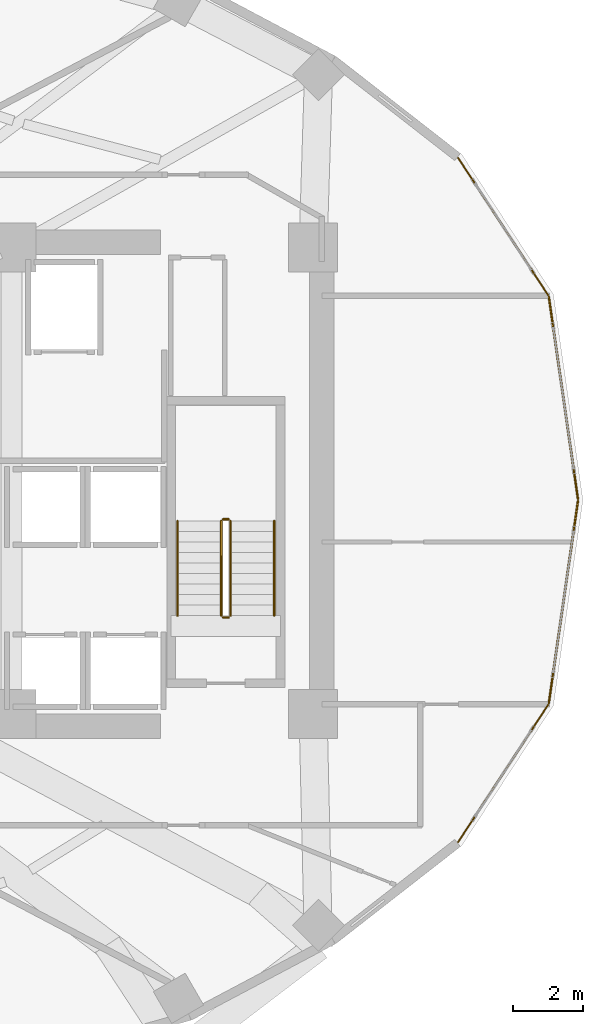
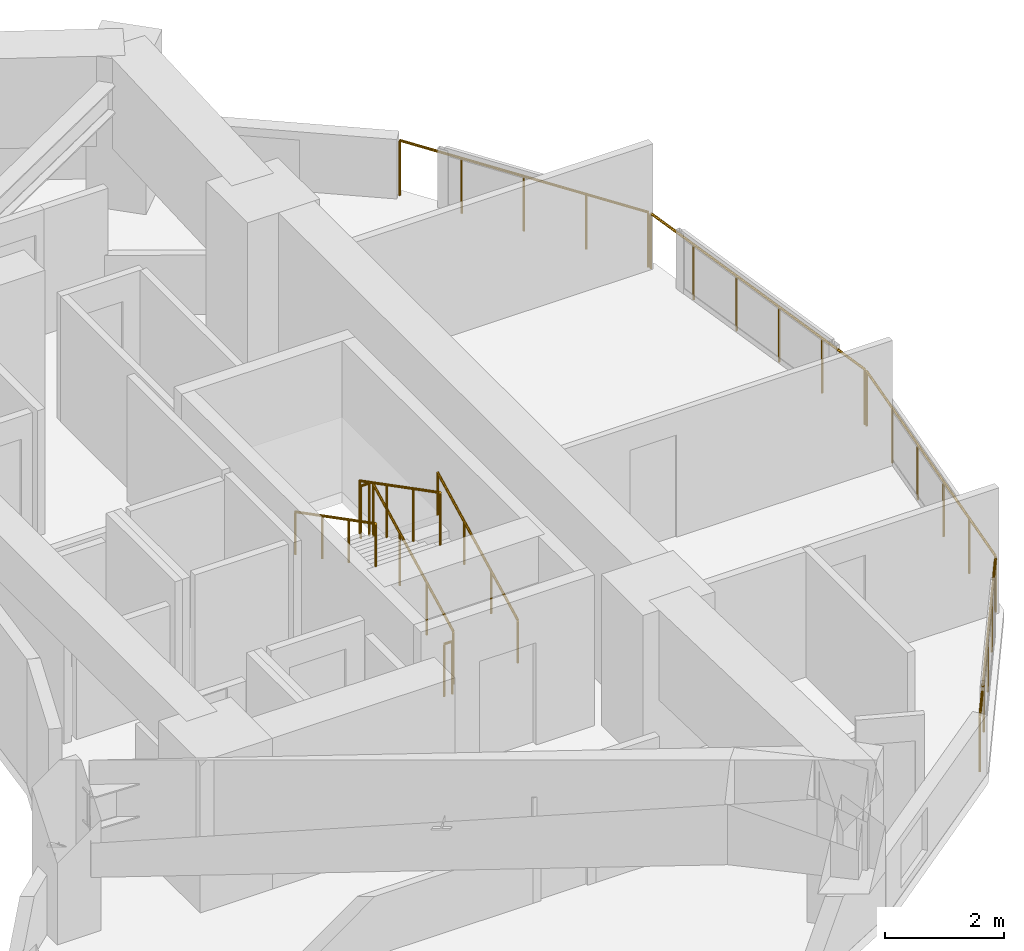
# One storey, part 13 of 14: 10 railings.
"""IFC4 building model written with IfcOpenShell, lengths in metres."""

from ifc_helpers import new_model, si_unit, direction, frame, origin, origin_2d, place, context, subcontext, project, spatial, circle, extrude, material, type_object, element, save


model = new_model("IFC4")

# Units and contexts
model_context = context("Model", 3, precision=1e-05, world=origin(), true_north=direction((0.0, 1.0)))
body_context = subcontext(model_context, "Body", "Model", "MODEL_VIEW")
ifc_project = project(units=[si_unit("LENGTHUNIT", "METRE"), si_unit("AREAUNIT", "SQUARE_METRE"), si_unit("VOLUMEUNIT", "CUBIC_METRE"), si_unit("PLANEANGLEUNIT", "RADIAN"), si_unit("MASSUNIT", "GRAM", prefix="KILO")], contexts=[model_context])

# Site, building, storey
site_placement = place(None, origin())
site = spatial("IfcSite", under=ifc_project, at=site_placement, CompositionType="ELEMENT")
building_placement = place(site_placement, origin())
building = spatial("IfcBuilding", under=site, at=building_placement, Name="Solvane Sanctuary Tower", CompositionType="ELEMENT")
storey_placement = place(building_placement, frame((0.0, 0.0, 91.800048828125)))
storey = spatial("IfcBuildingStorey", under=building, at=storey_placement, Name="L27", CompositionType="ELEMENT", Elevation=91.800048828125)

# Railings
ifc_material = material(Name="Architectural Stainless Steel 316", Category="steel")
railing_type_1 = type_object("IfcRailingType", Name="Railing GR-BALC-1150", PredefinedType="BALUSTRADE", material=ifc_material)
railing_1_placement = place(storey_placement, frame((56.255615234375, 23.02978515625, 0.0)))
element("IfcRailing", 1, at=railing_1_placement, inside=storey, type_object=railing_type_1, Name="L27 Curtain-Wall Perimeter Sill Guard 00", PredefinedType="BALUSTRADE", context=body_context, shape_type="SweptSolid", body=[
    extrude(circle(Radius=0.02392578125, at=origin_2d()), frame((0.0, 0.0, 1.1259765625), z_axis=(-0.142572582449, 0.98978434961, 0.0), x_axis=(-0.98978434961, -0.142572582449, 0.0)), (0.0, 0.0, 1.0), 5.818603515625),
    extrude(circle(Radius=0.02099609375, at=origin_2d()), origin(), (0.0, 0.0, 1.0), 1.101806640625),
    extrude(circle(Radius=0.02099609375, at=origin_2d()), frame((-0.166015625, 1.15185546875, 0.0)), (0.0, 0.0, 1.0), 1.101806640625),
    extrude(circle(Radius=0.02099609375, at=origin_2d()), frame((-0.331787109375, 2.3037109375, 0.0)), (0.0, 0.0, 1.0), 1.101806640625),
    extrude(circle(Radius=0.02099609375, at=origin_2d()), frame((-0.497802734375, 3.45556640625, 0.0)), (0.0, 0.0, 1.0), 1.101806640625),
    extrude(circle(Radius=0.02099609375, at=origin_2d()), frame((-0.66357421875, 4.607421875, 0.0)), (0.0, 0.0, 1.0), 1.101806640625),
    extrude(circle(Radius=0.02099609375, at=origin_2d()), frame((-0.82958984375, 5.75927734375, 0.0)), (0.0, 0.0, 1.0), 1.101806640625),
])
railing_2_placement = place(storey_placement, frame((55.405517578125, 28.84375, 0.0)))
element("IfcRailing", 2, at=railing_2_placement, inside=storey, type_object=railing_type_1, Name="L27 Curtain-Wall Perimeter Sill Guard 01", PredefinedType="BALUSTRADE", context=body_context, shape_type="SweptSolid", body=[
    extrude(circle(Radius=0.02392578125, at=origin_2d()), frame((0.0, 0.0, 1.1259765625), z_axis=(-0.548321711093, 0.836267481817, 0.0), x_axis=(-0.836267481817, -0.548321711093, 0.0)), (0.0, 0.0, 1.0), 4.6845703125),
    extrude(circle(Radius=0.02099609375, at=origin_2d()), origin(), (0.0, 0.0, 1.0), 1.101806640625),
    extrude(circle(Radius=0.02099609375, at=origin_2d()), frame((-0.64208984375, 0.9794921875, 0.0)), (0.0, 0.0, 1.0), 1.101806640625),
    extrude(circle(Radius=0.02099609375, at=origin_2d()), frame((-1.2841796875, 1.958740234375, 0.0)), (0.0, 0.0, 1.0), 1.101806640625),
    extrude(circle(Radius=0.02099609375, at=origin_2d()), frame((-1.926513671875, 2.93798828125, 0.0)), (0.0, 0.0, 1.0), 1.101806640625),
    extrude(circle(Radius=0.02099609375, at=origin_2d()), frame((-2.568603515625, 3.91748046875, 0.0)), (0.0, 0.0, 1.0), 1.101806640625),
])
railing_3_placement = place(storey_placement, frame((52.8369140625, 13.23876953125, 0.0)))
element("IfcRailing", 3, at=railing_3_placement, inside=storey, type_object=railing_type_1, Name="L27 Curtain-Wall Perimeter Sill Guard 22", PredefinedType="BALUSTRADE", context=body_context, shape_type="SweptSolid", body=[
    extrude(circle(Radius=0.02392578125, at=origin_2d()), frame((0.0, 0.0, 1.1259765625), z_axis=(0.548321711093, 0.836267481817, 0.0), x_axis=(-0.836267481817, 0.548321711093, 0.0)), (0.0, 0.0, 1.0), 4.6845703125),
    extrude(circle(Radius=0.02099609375, at=origin_2d()), origin(), (0.0, 0.0, 1.0), 1.101806640625),
    extrude(circle(Radius=0.02099609375, at=origin_2d()), frame((0.64208984375, 0.9794921875, 0.0)), (0.0, 0.0, 1.0), 1.101806640625),
    extrude(circle(Radius=0.02099609375, at=origin_2d()), frame((1.2841796875, 1.958740234375, 0.0)), (0.0, 0.0, 1.0), 1.101806640625),
    extrude(circle(Radius=0.02099609375, at=origin_2d()), frame((1.926513671875, 2.93798828125, 0.0)), (0.0, 0.0, 1.0), 1.101806640625),
    extrude(circle(Radius=0.02099609375, at=origin_2d()), frame((2.568603515625, 3.91748046875, 0.0)), (0.0, 0.0, 1.0), 1.101806640625),
])
railing_4_placement = place(storey_placement, frame((55.426025390625, 17.2109375, 0.0)))
element("IfcRailing", 4, at=railing_4_placement, inside=storey, type_object=railing_type_1, Name="L27 Curtain-Wall Perimeter Sill Guard 23", PredefinedType="BALUSTRADE", context=body_context, shape_type="SweptSolid", body=[
    extrude(circle(Radius=0.02392578125, at=origin_2d()), frame((0.0, 0.0, 1.1259765625), z_axis=(0.142572582449, 0.98978434961, 0.0), x_axis=(-0.98978434961, 0.142572582449, 0.0)), (0.0, 0.0, 1.0), 5.818603515625),
    extrude(circle(Radius=0.02099609375, at=origin_2d()), origin(), (0.0, 0.0, 1.0), 1.101806640625),
    extrude(circle(Radius=0.02099609375, at=origin_2d()), frame((0.166015625, 1.15185546875, 0.0)), (0.0, 0.0, 1.0), 1.101806640625),
    extrude(circle(Radius=0.02099609375, at=origin_2d()), frame((0.331787109375, 2.3037109375, 0.0)), (0.0, 0.0, 1.0), 1.101806640625),
    extrude(circle(Radius=0.02099609375, at=origin_2d()), frame((0.497802734375, 3.45556640625, 0.0)), (0.0, 0.0, 1.0), 1.101806640625),
    extrude(circle(Radius=0.02099609375, at=origin_2d()), frame((0.66357421875, 4.607421875, 0.0)), (0.0, 0.0, 1.0), 1.101806640625),
    extrude(circle(Radius=0.02099609375, at=origin_2d()), frame((0.82958984375, 5.75927734375, 0.0)), (0.0, 0.0, 1.0), 1.101806640625),
])
railing_5_placement = place(storey_placement, frame((46.340087890625, 19.699951171875, 0.155029296875)))
element("IfcRailing", 5, at=railing_5_placement, inside=storey, type_object=railing_type_1, Name="L27 ST-2 stair guard 1", PredefinedType="BALUSTRADE", context=body_context, shape_type="SweptSolid", body=[
    extrude(circle(Radius=0.02392578125, at=origin_2d()), frame((0.0, 0.0, 1.076171875), z_axis=(0.0, 0.888419900624, 0.459031676658), x_axis=(-1.0, 0.0, 0.0)), (0.0, 0.0, 1.0), 3.0390625),
    extrude(circle(Radius=0.02099609375, at=origin_2d()), origin(), (0.0, 0.0, 1.0), 1.052001953125),
    extrude(circle(Radius=0.02099609375, at=origin_2d()), frame((0.0, 0.89990234375, 0.465087890625)), (0.0, 0.0, 1.0), 1.052001953125),
    extrude(circle(Radius=0.02099609375, at=origin_2d()), frame((0.0, 1.800048828125, 0.929931640625)), (0.0, 0.0, 1.0), 1.052001953125),
    extrude(circle(Radius=0.02099609375, at=origin_2d()), frame((0.0, 2.699951171875, 1.39501953125)), (0.0, 0.0, 1.0), 1.052001953125),
])
railing_6_placement = place(storey_placement, frame((46.2900390625, 22.449951171875, 1.550048828125)))
element("IfcRailing", 6, at=railing_6_placement, inside=storey, type_object=railing_type_1, Name="L27 ST-2 stair guard 2", PredefinedType="BALUSTRADE", context=body_context, shape_type="SweptSolid", body=[
    extrude(circle(Radius=0.02392578125, at=origin_2d()), frame((0.0, 0.0, 1.076171875), z_axis=(-1.0, 0.0, 0.0), x_axis=(0.0, -1.0, 0.0)), (0.0, 0.0, 1.0), 0.16015625),
    extrude(circle(Radius=0.02099609375, at=origin_2d()), origin(), (0.0, 0.0, 1.0), 1.052001953125),
    extrude(circle(Radius=0.02099609375, at=origin_2d()), frame((-0.16015625, 0.0, 0.0)), (0.0, 0.0, 1.0), 1.052001953125),
])
railing_7_placement = place(storey_placement, frame((46.080078125, 22.39990234375, 1.704833984375)))
element("IfcRailing", 7, at=railing_7_placement, inside=storey, type_object=railing_type_1, Name="L27 ST-2 stair guard 3", PredefinedType="BALUSTRADE", context=body_context, shape_type="SweptSolid", body=[
    extrude(circle(Radius=0.02392578125, at=origin_2d()), frame((0.0, 0.0, 1.076171875), z_axis=(0.0, -0.888419900624, 0.459031676658), x_axis=(1.0, 0.0, 0.0)), (0.0, 0.0, 1.0), 3.0390625),
    extrude(circle(Radius=0.02099609375, at=origin_2d()), origin(), (0.0, 0.0, 1.0), 1.052001953125),
    extrude(circle(Radius=0.02099609375, at=origin_2d()), frame((0.0, -0.89990234375, 0.465087890625)), (0.0, 0.0, 1.0), 1.052001953125),
    extrude(circle(Radius=0.02099609375, at=origin_2d()), frame((0.0, -1.800048828125, 0.929931640625)), (0.0, 0.0, 1.0), 1.052001953125),
    extrude(circle(Radius=0.02099609375, at=origin_2d()), frame((0.0, -2.699951171875, 1.39501953125)), (0.0, 0.0, 1.0), 1.052001953125),
])
railing_8_placement = place(storey_placement, frame((46.2900390625, 19.64990234375, 0.0)))
element("IfcRailing", 8, at=railing_8_placement, inside=storey, type_object=railing_type_1, Name="L27 ST-2 stair guard 4", PredefinedType="BALUSTRADE", context=body_context, shape_type="SweptSolid", body=[
    extrude(circle(Radius=0.02392578125, at=origin_2d()), frame((0.0, 0.0, 1.076171875), z_axis=(-1.0, 0.0, 0.0), x_axis=(0.0, -1.0, 0.0)), (0.0, 0.0, 1.0), 0.16015625),
    extrude(circle(Radius=0.02099609375, at=origin_2d()), origin(), (0.0, 0.0, 1.0), 1.052001953125),
    extrude(circle(Radius=0.02099609375, at=origin_2d()), frame((-0.16015625, 0.0, 0.0)), (0.0, 0.0, 1.0), 1.052001953125),
])
railing_type_2 = type_object("IfcRailingType", Name="Railing HR-STAIR-920", PredefinedType="HANDRAIL", material=ifc_material)
railing_9_placement = place(storey_placement, frame((47.590087890625, 19.699951171875, 0.155029296875)))
element("IfcRailing", 9, at=railing_9_placement, inside=storey, type_object=railing_type_2, Name="L27 ST-2 stair handrail 1", PredefinedType="HANDRAIL", context=body_context, shape_type="SweptSolid", body=[
    extrude(circle(Radius=0.02392578125, at=origin_2d()), frame((0.0, 0.0, 0.8759765625), z_axis=(0.0, 0.888419900624, 0.459031676658), x_axis=(-1.0, 0.0, 0.0)), (0.0, 0.0, 1.0), 3.0390625),
    extrude(circle(Radius=0.02099609375, at=origin_2d()), origin(), (0.0, 0.0, 1.0), 0.851806640625),
    extrude(circle(Radius=0.02099609375, at=origin_2d()), frame((0.0, 0.89990234375, 0.465087890625)), (0.0, 0.0, 1.0), 0.851806640625),
    extrude(circle(Radius=0.02099609375, at=origin_2d()), frame((0.0, 1.800048828125, 0.929931640625)), (0.0, 0.0, 1.0), 0.851806640625),
    extrude(circle(Radius=0.02099609375, at=origin_2d()), frame((0.0, 2.699951171875, 1.39501953125)), (0.0, 0.0, 1.0), 0.851806640625),
])
railing_10_placement = place(storey_placement, frame((44.830078125, 22.39990234375, 1.704833984375)))
element("IfcRailing", 10, at=railing_10_placement, inside=storey, type_object=railing_type_2, Name="L27 ST-2 stair handrail 2", PredefinedType="HANDRAIL", context=body_context, shape_type="SweptSolid", body=[
    extrude(circle(Radius=0.02392578125, at=origin_2d()), frame((0.0, 0.0, 0.8759765625), z_axis=(0.0, -0.888419900624, 0.459031676658), x_axis=(1.0, 0.0, 0.0)), (0.0, 0.0, 1.0), 3.0390625),
    extrude(circle(Radius=0.02099609375, at=origin_2d()), origin(), (0.0, 0.0, 1.0), 0.851806640625),
    extrude(circle(Radius=0.02099609375, at=origin_2d()), frame((0.0, -0.89990234375, 0.465087890625)), (0.0, 0.0, 1.0), 0.851806640625),
    extrude(circle(Radius=0.02099609375, at=origin_2d()), frame((0.0, -1.800048828125, 0.929931640625)), (0.0, 0.0, 1.0), 0.851806640625),
    extrude(circle(Radius=0.02099609375, at=origin_2d()), frame((0.0, -2.699951171875, 1.39501953125)), (0.0, 0.0, 1.0), 0.851806640625),
])

save(model, "model.ifc")
